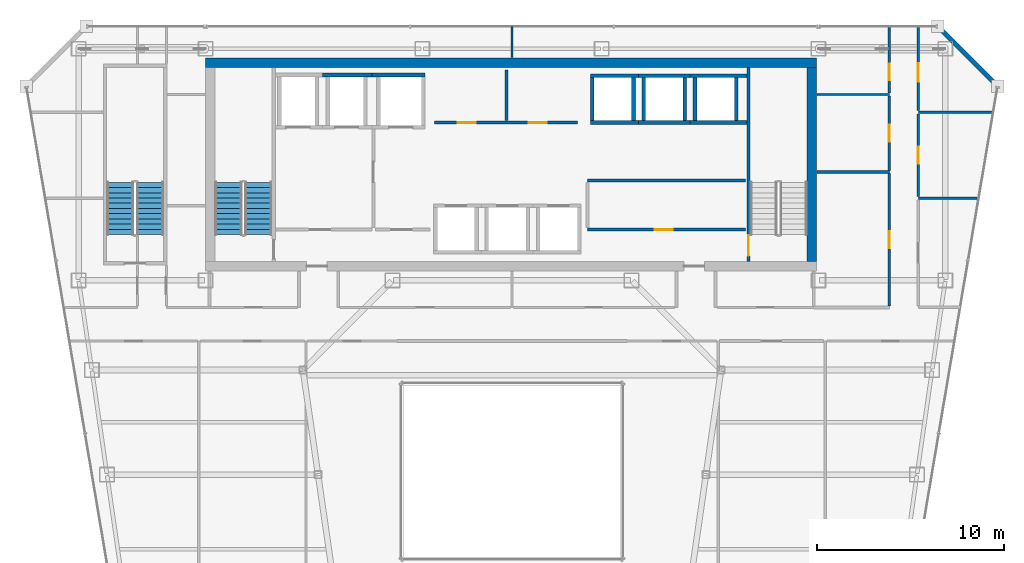
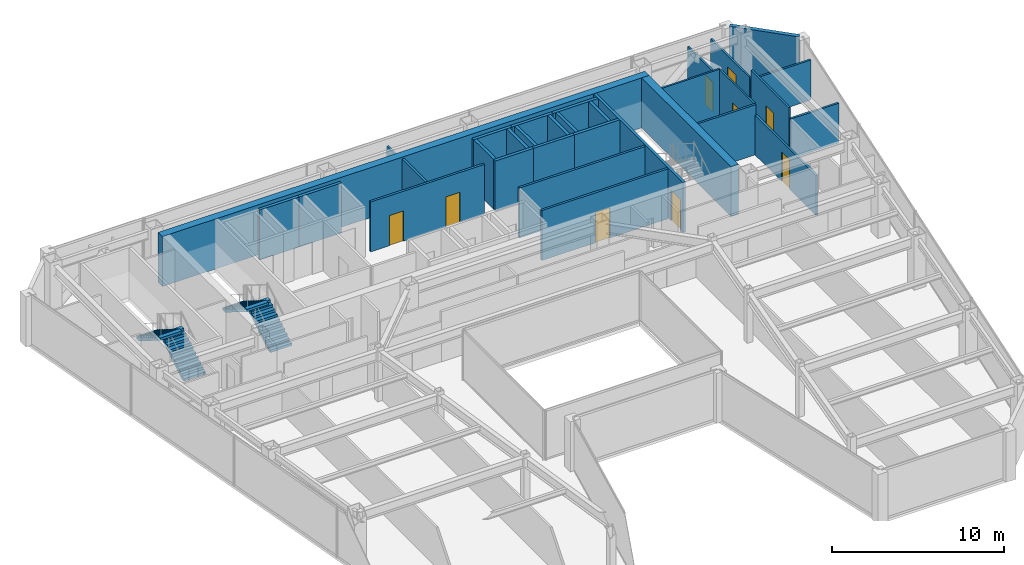
# One storey, part 32 of 36: 32 walls, 9 doors, 4 stair flights, 9 openings, 2 elements without a shape of their own.
"""IFC4 building model written with IfcOpenShell, lengths in metres."""

from ifc_helpers import new_model, si_unit, direction, frame, frame_2d, origin, place, context, subcontext, project, spatial, polyline, rectangle, outline, extrude, material, layer, layer_set, type_object, element, fill, aggregate, save


model = new_model("IFC4")

# Units and contexts
model_context = context("Model", 3, precision=1e-05, world=origin(), true_north=direction((0.0, 1.0)))
body_context = subcontext(model_context, "Body", "Model", "MODEL_VIEW")
ifc_project = project(units=[si_unit("LENGTHUNIT", "METRE"), si_unit("AREAUNIT", "SQUARE_METRE"), si_unit("VOLUMEUNIT", "CUBIC_METRE"), si_unit("PLANEANGLEUNIT", "RADIAN"), si_unit("MASSUNIT", "GRAM", prefix="KILO")], contexts=[model_context])

# Site, building, storey
site_placement = place(None, origin())
site = spatial("IfcSite", under=ifc_project, at=site_placement, CompositionType="ELEMENT")
building_placement = place(site_placement, origin())
building = spatial("IfcBuilding", under=site, at=building_placement, Name="Saevonmaru Cultural Tower", CompositionType="ELEMENT")
storey_placement = place(building_placement, frame((0.0, 0.0, 182.800048828125)))
storey = spatial("IfcBuildingStorey", under=building, at=storey_placement, Name="L41", CompositionType="ELEMENT", Elevation=182.800048828125)

# Walls
ifc_material_1 = material(Name="Concrete C60/75", Category="concrete")
ifc_layer_1 = layer(ifc_material_1, 0.5, Name="Concrete C60/75")
ifc_layer_set_1 = layer_set([ifc_layer_1], Name="Concrete C60/75")
wall_type_1 = type_object("IfcWallType", Name="WL-CORE-500", PredefinedType="SHEAR", material=ifc_layer_set_1)
wall_1_placement = place(storey_placement, frame((13.60009765625, 54.050048828125, 0.0), z_axis=(0.0, 0.0, 1.0), x_axis=(1.0, 0.0, 0.0)))
element("IfcWall", 1, at=wall_1_placement, inside=storey, type_object=wall_type_1, Name="L41 Tower RC core shear wall N", PredefinedType="SHEAR", context=body_context, shape_type="SweptSolid", body=[
    extrude(rectangle(XDim=32.699951171875, YDim=0.5, at=frame_2d((16.35009765625, 0.0))), origin(), (0.0, 0.0, 1.0), 3.550048828125),
])
wall_2_placement = place(storey_placement, frame((46.050048828125, 43.39990234375, 0.0), z_axis=(0.0, 0.0, 1.0), x_axis=(0.0, 1.0, 0.0)))
element("IfcWall", 2, at=wall_2_placement, inside=storey, type_object=wall_type_1, Name="L41 Tower RC core shear wall E", PredefinedType="SHEAR", context=body_context, shape_type="SweptSolid", body=[
    extrude(rectangle(XDim=10.400146484375, YDim=0.5, at=frame_2d((5.2001953125, 0.0))), origin(), (0.0, 0.0, 1.0), 3.550048828125),
])

# Wall, opening, door
ifc_material_2 = material(Name="Gypsum Fireboard Partition", Category="gypsum")
ifc_layer_2 = layer(ifc_material_2, 0.14990234375, Name="Gypsum Fireboard Partition")
ifc_layer_set_2 = layer_set([ifc_layer_2], Name="Gypsum Fireboard Partition")
wall_type_2 = type_object("IfcWallType", Name="WL-CORE-PART-150", PredefinedType="PARTITIONING", material=ifc_layer_set_2)
wall_3_placement = place(storey_placement, frame((34.050048828125, 45.1201171875, 0.0), z_axis=(0.0, 0.0, 1.0), x_axis=(1.0, 0.0, 0.0)))
wall_3 = element("IfcWall", 3, at=wall_3_placement, inside=storey, type_object=wall_type_2, Name="L41 Core Service South Wall", PredefinedType="PARTITIONING", context=body_context, shape_type="SweptSolid", body=[
    extrude(rectangle(XDim=8.449951171875, YDim=0.14990234375, at=frame_2d((4.22509765625, 0.0))), origin(), (0.0, 0.0, 1.0), 3.550048828125),
])
opening_1_placement = place(wall_3_placement, frame((3.60009765625, 0.0, 0.0)))
opening_1 = element("IfcOpeningElement", 4, at=opening_1_placement, cuts=wall_3, Name="Opening FD-4", PredefinedType="OPENING", context=body_context, shape_type="SweptSolid", body=[
    extrude(rectangle(XDim=0.949951171875, YDim=2.14990234375, at=frame_2d((0.47509765625, 1.074951171875))), frame((0.0, 0.0849609375, 0.0), z_axis=(0.0, -1.0, 0.0), x_axis=(1.0, 0.0, 0.0)), (0.0, 0.0, 1.0), 0.169921875),
])
ifc_material_3 = material(Name="Satin Bronze Anodised Aluminium", Category="aluminium")
door_type_1 = type_object("IfcDoorType", Name="DR-FD60-950", OperationType="SINGLE_SWING_LEFT", PredefinedType="DOOR", material=ifc_material_3)
door_1_placement = place(opening_1_placement, origin())
door_1 = element("IfcDoor", 5, at=door_1_placement, inside=storey, type_object=door_type_1, Name="L41 Telecom Riser Plant Door", OperationType="SINGLE_SWING_LEFT", OverallHeight=2.14990234375, OverallWidth=0.949951171875, PredefinedType="DOOR", context=body_context, shape_type="SweptSolid", body=[
    extrude(rectangle(XDim=0.949951171875, YDim=2.14990234375, at=frame_2d((0.47509765625, 1.074951171875))), frame((0.0, 0.02490234375, 0.0), z_axis=(0.0, -1.0, 0.0), x_axis=(1.0, 0.0, 0.0)), (0.0, 0.0, 1.0), 0.050048828125),
])
fill(opening_1, door_1)

# Wall
wall_4_placement = place(storey_placement, frame((34.050048828125, 47.75, 0.0), z_axis=(0.0, 0.0, 1.0), x_axis=(1.0, 0.0, 0.0)))
element("IfcWall", 6, at=wall_4_placement, inside=storey, type_object=wall_type_2, Name="L41 Core Service North Wall", PredefinedType="PARTITIONING", context=body_context, shape_type="SweptSolid", body=[
    extrude(rectangle(XDim=8.449951171875, YDim=0.14990234375, at=frame_2d((4.22509765625, 0.0))), origin(), (0.0, 0.0, 1.0), 3.550048828125),
])

# Wall, openings, doors
wall_5_placement = place(storey_placement, frame((25.85009765625, 50.85009765625, 0.0), z_axis=(0.0, 0.0, 1.0), x_axis=(1.0, 0.0, 0.0)))
wall_5 = element("IfcWall", 7, at=wall_5_placement, inside=storey, type_object=wall_type_2, Name="L41 Reclaimed Core Room South Wall", PredefinedType="PARTITIONING", context=body_context, shape_type="SweptSolid", body=[
    extrude(rectangle(XDim=7.64990234375, YDim=0.14990234375, at=frame_2d((3.824951171875, 0.0))), origin(), (0.0, 0.0, 1.0), 3.550048828125),
])
opening_2_placement = place(wall_5_placement, frame((1.25, 0.0, 0.0)))
opening_2 = element("IfcOpeningElement", 8, at=opening_2_placement, cuts=wall_5, Name="Opening FD-4", PredefinedType="OPENING", context=body_context, shape_type="SweptSolid", body=[
    extrude(rectangle(XDim=0.949951171875, YDim=2.14990234375, at=frame_2d((0.47509765625, 1.074951171875))), frame((0.0, 0.0849609375, 0.0), z_axis=(0.0, -1.0, 0.0), x_axis=(1.0, 0.0, 0.0)), (0.0, 0.0, 1.0), 0.169921875),
])
opening_3_placement = place(wall_5_placement, frame((5.050048828125, 0.0, 0.0)))
opening_3 = element("IfcOpeningElement", 9, at=opening_3_placement, cuts=wall_5, Name="Opening FD-4", PredefinedType="OPENING", context=body_context, shape_type="SweptSolid", body=[
    extrude(rectangle(XDim=0.949951171875, YDim=2.14990234375, at=frame_2d((0.47509765625, 1.074951171875))), frame((0.0, 0.0849609375, 0.0), z_axis=(0.0, -1.0, 0.0), x_axis=(1.0, 0.0, 0.0)), (0.0, 0.0, 1.0), 0.169921875),
])
door_2_placement = place(opening_2_placement, origin())
door_2 = element("IfcDoor", 10, at=door_2_placement, inside=storey, type_object=door_type_1, Name="L41 Reclaimed Archive Vault Door", OperationType="SINGLE_SWING_LEFT", OverallHeight=2.14990234375, OverallWidth=0.949951171875, PredefinedType="DOOR", context=body_context, shape_type="SweptSolid", body=[
    extrude(rectangle(XDim=0.949951171875, YDim=2.14990234375, at=frame_2d((0.47509765625, 1.074951171875))), frame((0.0, 0.02490234375, 0.0), z_axis=(0.0, -1.0, 0.0), x_axis=(1.0, 0.0, 0.0)), (0.0, 0.0, 1.0), 0.050048828125),
])
fill(opening_2, door_2)
door_3_placement = place(opening_3_placement, origin())
door_3 = element("IfcDoor", 11, at=door_3_placement, inside=storey, type_object=door_type_1, Name="L41 Reclaimed Conservation Storage Door", OperationType="SINGLE_SWING_LEFT", OverallHeight=2.14990234375, OverallWidth=0.949951171875, PredefinedType="DOOR", context=body_context, shape_type="SweptSolid", body=[
    extrude(rectangle(XDim=0.949951171875, YDim=2.14990234375, at=frame_2d((0.47509765625, 1.074951171875))), frame((0.0, 0.02490234375, 0.0), z_axis=(0.0, -1.0, 0.0), x_axis=(1.0, 0.0, 0.0)), (0.0, 0.0, 1.0), 0.050048828125),
])
fill(opening_3, door_3)

# Walls
wall_6_placement = place(storey_placement, frame((29.699951171875, 50.949951171875, 0.0), z_axis=(0.0, 0.0, 1.0), x_axis=(0.0, 1.0, 0.0)))
element("IfcWall", 12, at=wall_6_placement, inside=storey, type_object=wall_type_2, Name="L41 Reclaimed Vault Split", PredefinedType="PARTITIONING", context=body_context, shape_type="SweptSolid", body=[
    extrude(rectangle(XDim=2.699951171875, YDim=0.14990234375, at=frame_2d((1.35009765625, 0.0))), origin(), (0.0, 0.0, 1.0), 3.550048828125),
])
ifc_material_4 = material(Name="Granite-Clad Precast Concrete C40/50", Category="masonry")
ifc_layer_3 = layer(ifc_material_4, 0.260009765625, Name="Granite-Clad Precast Concrete C40/50")
ifc_layer_set_3 = layer_set([ifc_layer_3], Name="Granite-Clad Precast Concrete C40/50")
wall_type_3 = type_object("IfcWallType", Name="WL-EXT-SPANDREL-260", PredefinedType="STANDARD", material=ifc_layer_set_3)
wall_7_placement = place(storey_placement, frame((55.886962890625, 52.9130859375, 0.0), z_axis=(0.0, 0.0, 1.0), x_axis=(-0.707106781187, 0.707106781187, 0.0)))
element("IfcWall", 13, at=wall_7_placement, inside=storey, type_object=wall_type_3, Name="L41 Chamfer Corner Spandrel Wall E9", PredefinedType="STANDARD", context=body_context, shape_type="SweptSolid", body=[
    extrude(rectangle(XDim=4.205810546875, YDim=0.260009765625, at=frame_2d((2.10302734375, 0.0))), origin(), (0.0, 0.0, 1.0), 3.550048828125),
])
ifc_layer_4 = layer(ifc_material_2, 0.1201171875, Name="Gypsum Fireboard Partition")
ifc_layer_set_4 = layer_set([ifc_layer_4], Name="Gypsum Fireboard Partition")
wall_type_4 = type_object("IfcWallType", Name="WL-PART-GYP-120", PredefinedType="PARTITIONING", material=ifc_layer_set_4)
wall_8_placement = place(storey_placement, frame((46.320068359375, 52.35009765625, 0.0), z_axis=(0.0, 0.0, 1.0), x_axis=(1.0, 0.0, 0.0)))
element("IfcWall", 14, at=wall_8_placement, inside=storey, type_object=wall_type_4, Name="L41 North-East Panorama South Wall", PredefinedType="PARTITIONING", context=body_context, shape_type="SweptSolid", body=[
    extrude(rectangle(XDim=3.8798828125, YDim=0.1201171875, at=frame_2d((1.93994140625, 0.0))), origin(), (0.0, 0.0, 1.0), 3.550048828125),
])
wall_9_placement = place(storey_placement, frame((30.0, 54.320068359375, 0.0), z_axis=(0.0, 0.0, 1.0), x_axis=(0.0, 1.0, 0.0)))
element("IfcWall", 15, at=wall_9_placement, inside=storey, type_object=wall_type_4, Name="L41 North Panorama Center Split", PredefinedType="PARTITIONING", context=body_context, shape_type="SweptSolid", body=[
    extrude(rectangle(XDim=1.675048828125, YDim=0.1201171875, at=frame_2d((0.83740234375, 0.0))), origin(), (0.0, 0.0, 1.0), 2.93505859375),
])

# Wall, opening, door
wall_10_placement = place(storey_placement, frame((50.199951171875, 48.2900390625, 0.0), z_axis=(0.0, 0.0, 1.0), x_axis=(0.0, 1.0, 0.0)))
wall_10 = element("IfcWall", 16, at=wall_10_placement, inside=storey, type_object=wall_type_4, Name="L41 Curatorial Research Office Corridor Wall", PredefinedType="PARTITIONING", context=body_context, shape_type="SweptSolid", body=[
    extrude(rectangle(XDim=3.97998046875, YDim=0.1201171875, at=frame_2d((1.989990234375, 0.0))), origin(), (0.0, 0.0, 1.0), 3.550048828125),
])
opening_4_placement = place(wall_10_placement, frame((1.5400390625, 0.0, 0.0)))
opening_4 = element("IfcOpeningElement", 17, at=opening_4_placement, cuts=wall_10, Name="Opening ID-2", PredefinedType="OPENING", context=body_context, shape_type="SweptSolid", body=[
    extrude(rectangle(XDim=0.89990234375, YDim=2.10009765625, at=frame_2d((0.449951171875, 1.050048828125))), frame((0.0, 0.070068359375, 0.0), z_axis=(0.0, -1.0, 0.0), x_axis=(1.0, 0.0, 0.0)), (0.0, 0.0, 1.0), 0.14013671875),
])
ifc_material_5 = material(Name="Acoustic Stained Oak Timber", Category="wood")
door_type_2 = type_object("IfcDoorType", Name="DR-INT-900", OperationType="SINGLE_SWING_RIGHT", PredefinedType="DOOR", material=ifc_material_5)
door_4_placement = place(opening_4_placement, origin())
door_4 = element("IfcDoor", 18, at=door_4_placement, inside=storey, type_object=door_type_2, Name="L41 Curatorial Research Office Door", OperationType="SINGLE_SWING_LEFT", OverallHeight=2.10009765625, OverallWidth=0.89990234375, PredefinedType="DOOR", context=body_context, shape_type="SweptSolid", body=[
    extrude(rectangle(XDim=0.89990234375, YDim=2.10009765625, at=frame_2d((0.449951171875, 1.050048828125))), frame((0.0, 0.02490234375, 0.0), z_axis=(0.0, -1.0, 0.0), x_axis=(1.0, 0.0, 0.0)), (0.0, 0.0, 1.0), 0.050048828125),
])
fill(opening_4, door_4)

wall_11_placement = place(storey_placement, frame((50.199951171875, 52.429931640625, 0.0), z_axis=(0.0, 0.0, 1.0), x_axis=(0.0, 1.0, 0.0)))
wall_11 = element("IfcWall", 19, at=wall_11_placement, inside=storey, type_object=wall_type_4, Name="L41 Archival Conservation Office Corridor Wall", PredefinedType="PARTITIONING", context=body_context, shape_type="SweptSolid", body=[
    extrude(rectangle(XDim=3.565185546875, YDim=0.1201171875, at=frame_2d((1.78271484375, 0.0))), origin(), (0.0, 0.0, 1.0), 2.93505859375),
])
opening_5_placement = place(wall_11_placement, frame((0.672119140625, 0.0, 0.0)))
opening_5 = element("IfcOpeningElement", 20, at=opening_5_placement, cuts=wall_11, Name="Opening ID-2", PredefinedType="OPENING", context=body_context, shape_type="SweptSolid", body=[
    extrude(rectangle(XDim=0.89990234375, YDim=2.10009765625, at=frame_2d((0.449951171875, 1.050048828125))), frame((0.0, 0.070068359375, 0.0), z_axis=(0.0, -1.0, 0.0), x_axis=(1.0, 0.0, 0.0)), (0.0, 0.0, 1.0), 0.14013671875),
])
door_5_placement = place(opening_5_placement, origin())
door_5 = element("IfcDoor", 21, at=door_5_placement, inside=storey, type_object=door_type_2, Name="L41 Archival Conservation Office Door", OperationType="SINGLE_SWING_RIGHT", OverallHeight=2.10009765625, OverallWidth=0.89990234375, PredefinedType="DOOR", context=body_context, shape_type="SweptSolid", body=[
    extrude(rectangle(XDim=0.89990234375, YDim=2.10009765625, at=frame_2d((0.449951171875, 1.050048828125))), frame((0.0, 0.02490234375, 0.0), z_axis=(0.0, -1.0, 0.0), x_axis=(1.0, 0.0, 0.0)), (0.0, 0.0, 1.0), 0.050048828125),
])
fill(opening_5, door_5)

wall_12_placement = place(storey_placement, frame((51.75, 46.887451171875, 0.0), z_axis=(0.0, 0.0, 1.0), x_axis=(0.0, 1.0, 0.0)))
wall_12 = element("IfcWall", 22, at=wall_12_placement, inside=storey, type_object=wall_type_4, Name="L41 Design Seminar Classroom Corridor Wall", PredefinedType="PARTITIONING", context=body_context, shape_type="SweptSolid", body=[
    extrude(rectangle(XDim=4.425048828125, YDim=0.1201171875, at=frame_2d((2.21240234375, 0.0))), origin(), (0.0, 0.0, 1.0), 3.550048828125),
])
opening_6_placement = place(wall_12_placement, frame((1.761962890625, 0.0, 0.0)))
opening_6 = element("IfcOpeningElement", 23, at=opening_6_placement, cuts=wall_12, Name="Opening ID-2", PredefinedType="OPENING", context=body_context, shape_type="SweptSolid", body=[
    extrude(rectangle(XDim=0.89990234375, YDim=2.10009765625, at=frame_2d((0.449951171875, 1.050048828125))), frame((0.0, 0.070068359375, 0.0), z_axis=(0.0, -1.0, 0.0), x_axis=(1.0, 0.0, 0.0)), (0.0, 0.0, 1.0), 0.14013671875),
])
door_6_placement = place(opening_6_placement, origin())
door_6 = element("IfcDoor", 24, at=door_6_placement, inside=storey, type_object=door_type_2, Name="L41 Design Seminar Classroom Door", OperationType="SINGLE_SWING_RIGHT", OverallHeight=2.10009765625, OverallWidth=0.89990234375, PredefinedType="DOOR", context=body_context, shape_type="SweptSolid", body=[
    extrude(rectangle(XDim=0.89990234375, YDim=2.10009765625, at=frame_2d((0.449951171875, 1.050048828125))), frame((0.0, 0.02490234375, 0.0), z_axis=(0.0, -1.0, 0.0), x_axis=(1.0, 0.0, 0.0)), (0.0, 0.0, 1.0), 0.050048828125),
])
fill(opening_6, door_6)

wall_13_placement = place(storey_placement, frame((51.75, 51.487548828125, 0.0), z_axis=(0.0, 0.0, 1.0), x_axis=(0.0, 1.0, 0.0)))
wall_13 = element("IfcWall", 25, at=wall_13_placement, inside=storey, type_object=wall_type_4, Name="L41 Museum Espresso Cafe Corridor Wall", PredefinedType="PARTITIONING", context=body_context, shape_type="SweptSolid", body=[
    extrude(rectangle(XDim=4.507568359375, YDim=0.1201171875, at=frame_2d((2.25390625, 0.0))), origin(), (0.0, 0.0, 1.0), 2.93505859375),
])
opening_7_placement = place(wall_13_placement, frame((1.533935546875, 0.0, 0.0)))
opening_7 = element("IfcOpeningElement", 26, at=opening_7_placement, cuts=wall_13, Name="Opening ID-1B", PredefinedType="OPENING", context=body_context, shape_type="SweptSolid", body=[
    extrude(rectangle(XDim=1.0, YDim=2.14990234375, at=frame_2d((0.5, 1.074951171875))), frame((0.0, 0.070068359375, 0.0), z_axis=(0.0, -1.0, 0.0), x_axis=(1.0, 0.0, 0.0)), (0.0, 0.0, 1.0), 0.14013671875),
])
door_type_3 = type_object("IfcDoorType", Name="DR-INT-1000", OperationType="SINGLE_SWING_RIGHT", PredefinedType="DOOR", material=ifc_material_5)
door_7_placement = place(opening_7_placement, origin())
door_7 = element("IfcDoor", 27, at=door_7_placement, inside=storey, type_object=door_type_3, Name="L41 Museum Espresso Cafe Door", OperationType="SINGLE_SWING_LEFT", OverallHeight=2.14990234375, OverallWidth=1.0, PredefinedType="DOOR", context=body_context, shape_type="SweptSolid", body=[
    extrude(rectangle(XDim=1.0, YDim=2.14990234375, at=frame_2d((0.5, 1.074951171875))), frame((0.0, 0.02490234375, 0.0), z_axis=(0.0, -1.0, 0.0), x_axis=(1.0, 0.0, 0.0)), (0.0, 0.0, 1.0), 0.050048828125),
])
fill(opening_7, door_7)

# Walls
ifc_layer_5 = layer(ifc_material_2, 0.135009765625, Name="Gypsum Fireboard Partition")
ifc_layer_set_5 = layer_set([ifc_layer_5], Name="Gypsum Fireboard Partition")
wall_type_5 = type_object("IfcWallType", Name="WL-PART-GYP-135", PredefinedType="PARTITIONING", material=ifc_layer_set_5)
wall_14_placement = place(storey_placement, frame((51.75, 46.800048828125, 0.0), z_axis=(0.0, 0.0, 1.0), x_axis=(1.0, 0.0, 0.0)))
element("IfcWall", 28, at=wall_14_placement, inside=storey, type_object=wall_type_5, Name="L41 NE Studio Divider 1", PredefinedType="PARTITIONING", context=body_context, shape_type="SweptSolid", body=[
    extrude(rectangle(XDim=3.229248046875, YDim=0.135009765625, at=frame_2d((1.61474609375, 0.0))), origin(), (0.0, 0.0, 1.0), 2.8349609375),
])
wall_15_placement = place(storey_placement, frame((51.75, 51.39990234375, 0.0), z_axis=(0.0, 0.0, 1.0), x_axis=(1.0, 0.0, 0.0)))
element("IfcWall", 29, at=wall_15_placement, inside=storey, type_object=wall_type_5, Name="L41 NE Studio Divider 2", PredefinedType="PARTITIONING", context=body_context, shape_type="SweptSolid", body=[
    extrude(rectangle(XDim=4.0078125, YDim=0.135009765625, at=frame_2d((2.00390625, 0.0))), origin(), (0.0, 0.0, 1.0), 2.8349609375),
])
ifc_layer_6 = layer(ifc_material_2, 0.139892578125, Name="Gypsum Fireboard Partition")
ifc_layer_set_6 = layer_set([ifc_layer_6], Name="Gypsum Fireboard Partition")
wall_type_6 = type_object("IfcWallType", Name="WL-PART-WET-140", PredefinedType="PARTITIONING", material=ifc_layer_set_6)
wall_16_placement = place(storey_placement, frame((46.320068359375, 48.199951171875, 0.0), z_axis=(0.0, 0.0, 1.0), x_axis=(1.0, 0.0, 0.0)))
element("IfcWall", 30, at=wall_16_placement, inside=storey, type_object=wall_type_6, Name="L41 Washroom North Wall", PredefinedType="PARTITIONING", context=body_context, shape_type="SweptSolid", body=[
    extrude(rectangle(XDim=3.8798828125, YDim=0.139892578125, at=frame_2d((1.93994140625, 0.0))), origin(), (0.0, 0.0, 1.0), 3.550048828125),
])

# Wall, opening, door
wall_17_placement = place(storey_placement, frame((50.199951171875, 41.0400390625, 0.0), z_axis=(0.0, 0.0, 1.0), x_axis=(0.0, 1.0, 0.0)))
wall_17 = element("IfcWall", 31, at=wall_17_placement, inside=storey, type_object=wall_type_6, Name="L41 Washroom Corridor Wall", PredefinedType="PARTITIONING", context=body_context, shape_type="SweptSolid", body=[
    extrude(rectangle(XDim=7.070068359375, YDim=0.139892578125, at=frame_2d((3.53515625, 0.0))), origin(), (0.0, 0.0, 1.0), 2.8349609375),
])
opening_8_placement = place(wall_17_placement, frame((3.0849609375, 0.0, 0.0)))
opening_8 = element("IfcOpeningElement", 32, at=opening_8_placement, cuts=wall_17, Name="Opening ID-2", PredefinedType="OPENING", context=body_context, shape_type="SweptSolid", body=[
    extrude(rectangle(XDim=0.89990234375, YDim=2.10009765625, at=frame_2d((0.449951171875, 1.050048828125))), frame((0.0, 0.080078125, 0.0), z_axis=(0.0, -1.0, 0.0), x_axis=(1.0, 0.0, 0.0)), (0.0, 0.0, 1.0), 0.159912109375),
])
door_8_placement = place(opening_8_placement, origin())
door_8 = element("IfcDoor", 33, at=door_8_placement, inside=storey, type_object=door_type_2, Name="L41 Public Accessible Washrooms Door", OperationType="SINGLE_SWING_RIGHT", OverallHeight=2.10009765625, OverallWidth=0.89990234375, PredefinedType="DOOR", context=body_context, shape_type="SweptSolid", body=[
    extrude(rectangle(XDim=0.89990234375, YDim=2.10009765625, at=frame_2d((0.449951171875, 1.050048828125))), frame((0.0, 0.02490234375, 0.0), z_axis=(0.0, -1.0, 0.0), x_axis=(1.0, 0.0, 0.0)), (0.0, 0.0, 1.0), 0.050048828125),
])
fill(opening_8, door_8)

# Walls
ifc_material_6 = material(Name="Concrete C40/50", Category="concrete")
ifc_layer_7 = layer(ifc_material_6, 0.199951171875, Name="Concrete C40/50")
ifc_layer_set_7 = layer_set([ifc_layer_7], Name="Concrete C40/50")
wall_type_7 = type_object("IfcWallType", Name="WL-SHAFT-200", PredefinedType="SHEAR", material=ifc_layer_set_7)
wall_18_placement = place(storey_placement, frame((19.85009765625, 53.39990234375, 0.0), z_axis=(0.0, 0.0, 1.0), x_axis=(1.0, 0.0, 0.0)))
element("IfcWall", 34, at=wall_18_placement, inside=storey, type_object=wall_type_7, Name="L41 Lift FFL-2 Hoistway Wall N", PredefinedType="SHEAR", context=body_context, shape_type="SweptSolid", body=[
    extrude(rectangle(XDim=2.64990234375, YDim=0.199951171875, at=frame_2d((1.324951171875, 0.0))), origin(), (0.0, 0.0, 1.0), 3.550048828125),
])
wall_19_placement = place(storey_placement, frame((22.5, 53.39990234375, 0.0), z_axis=(0.0, 0.0, 1.0), x_axis=(1.0, 0.0, 0.0)))
element("IfcWall", 35, at=wall_19_placement, inside=storey, type_object=wall_type_7, Name="L41 Lift GL-1 Hoistway Wall N", PredefinedType="SHEAR", context=body_context, shape_type="SweptSolid", body=[
    extrude(rectangle(XDim=2.85009765625, YDim=0.199951171875, at=frame_2d((1.425048828125, 0.0))), origin(), (0.0, 0.0, 1.0), 3.550048828125),
])
for number, where, z_axis, x_axis, name in (
    (36, (34.199951171875, 50.85009765625, 0.0), (0.0, 0.0, 1.0), (1.0, 0.0, 0.0), "L41 Lift PL-H1 Hoistway Wall S"),
    (37, (34.199951171875, 53.35009765625, 0.0), (0.0, 0.0, 1.0), (1.0, 0.0, 0.0), "L41 Lift PL-H1 Hoistway Wall N"),
):
    element("IfcWall", number, at=place(storey_placement, frame(where, z_axis=z_axis, x_axis=x_axis)), inside=storey, type_object=wall_type_7, Name=name, PredefinedType="SHEAR", context=body_context, shape_type="SweptSolid", body=[
        extrude(rectangle(XDim=2.574951171875, YDim=0.199951171875, at=frame_2d((1.28759765625, 0.0))), origin(), (0.0, 0.0, 1.0), 3.550048828125),
    ])
for number, where, z_axis, x_axis, name in (
    (38, (34.300048828125, 50.949951171875, 0.0), (0.0, 0.0, 1.0), (0.0, 1.0, 0.0), "L41 Lift PL-H1 Hoistway Wall W"),
    (39, (36.5, 50.949951171875, 0.0), (0.0, 0.0, 1.0), (0.0, 1.0, 0.0), "L41 Lift PL-H1 Hoistway Wall E"),
):
    element("IfcWall", number, at=place(storey_placement, frame(where, z_axis=z_axis, x_axis=x_axis)), inside=storey, type_object=wall_type_7, Name=name, PredefinedType="SHEAR", context=body_context, shape_type="SweptSolid", body=[
        extrude(rectangle(XDim=2.300048828125, YDim=0.199951171875, at=frame_2d((1.14990234375, 0.0))), origin(), (0.0, 0.0, 1.0), 3.550048828125),
    ])
for number, where, z_axis, x_axis, name in (
    (40, (36.77490234375, 50.85009765625, 0.0), (0.0, 0.0, 1.0), (1.0, 0.0, 0.0), "L41 Lift PL-H2 Hoistway Wall S"),
    (41, (36.77490234375, 53.35009765625, 0.0), (0.0, 0.0, 1.0), (1.0, 0.0, 0.0), "L41 Lift PL-H2 Hoistway Wall N"),
):
    element("IfcWall", number, at=place(storey_placement, frame(where, z_axis=z_axis, x_axis=x_axis)), inside=storey, type_object=wall_type_7, Name=name, PredefinedType="SHEAR", context=body_context, shape_type="SweptSolid", body=[
        extrude(rectangle(XDim=2.75, YDim=0.199951171875, at=frame_2d((1.375, 0.0))), origin(), (0.0, 0.0, 1.0), 3.550048828125),
    ])
for number, where, z_axis, x_axis, name in (
    (42, (37.050048828125, 50.949951171875, 0.0), (0.0, 0.0, 1.0), (0.0, 1.0, 0.0), "L41 Lift PL-H2 Hoistway Wall W"),
    (43, (39.25, 50.949951171875, 0.0), (0.0, 0.0, 1.0), (0.0, 1.0, 0.0), "L41 Lift PL-H2 Hoistway Wall E"),
):
    element("IfcWall", number, at=place(storey_placement, frame(where, z_axis=z_axis, x_axis=x_axis)), inside=storey, type_object=wall_type_7, Name=name, PredefinedType="SHEAR", context=body_context, shape_type="SweptSolid", body=[
        extrude(rectangle(XDim=2.300048828125, YDim=0.199951171875, at=frame_2d((1.14990234375, 0.0))), origin(), (0.0, 0.0, 1.0), 3.550048828125),
    ])
for number, where, z_axis, x_axis, name in (
    (44, (39.52490234375, 50.85009765625, 0.0), (0.0, 0.0, 1.0), (1.0, 0.0, 0.0), "L41 Lift PL-H3 Hoistway Wall S"),
    (45, (39.52490234375, 53.35009765625, 0.0), (0.0, 0.0, 1.0), (1.0, 0.0, 0.0), "L41 Lift PL-H3 Hoistway Wall N"),
):
    element("IfcWall", number, at=place(storey_placement, frame(where, z_axis=z_axis, x_axis=x_axis)), inside=storey, type_object=wall_type_7, Name=name, PredefinedType="SHEAR", context=body_context, shape_type="SweptSolid", body=[
        extrude(rectangle(XDim=3.045166015625, YDim=0.199951171875, at=frame_2d((1.5224609375, 0.0))), origin(), (0.0, 0.0, 1.0), 3.550048828125),
    ])
for number, where, z_axis, x_axis, name in (
    (46, (39.800048828125, 50.949951171875, 0.0), (0.0, 0.0, 1.0), (0.0, 1.0, 0.0), "L41 Lift PL-H3 Hoistway Wall W"),
    (47, (42.0, 50.949951171875, 0.0), (0.0, 0.0, 1.0), (0.0, 1.0, 0.0), "L41 Lift PL-H3 Hoistway Wall E"),
):
    element("IfcWall", number, at=place(storey_placement, frame(where, z_axis=z_axis, x_axis=x_axis)), inside=storey, type_object=wall_type_7, Name=name, PredefinedType="SHEAR", context=body_context, shape_type="SweptSolid", body=[
        extrude(rectangle(XDim=2.300048828125, YDim=0.199951171875, at=frame_2d((1.14990234375, 0.0))), origin(), (0.0, 0.0, 1.0), 3.550048828125),
    ])

# Wall, opening, door
ifc_layer_8 = layer(ifc_material_6, 0.179931640625, Name="Concrete C40/50")
ifc_layer_set_8 = layer_set([ifc_layer_8], Name="Concrete C40/50")
wall_type_8 = type_object("IfcWallType", Name="WL-STSHAFT-180", PredefinedType="SHEAR", material=ifc_layer_set_8)
wall_20_placement = place(storey_placement, frame((42.659912109375, 53.800048828125, 0.0), z_axis=(0.0, 0.0, 1.0), x_axis=(0.0, -1.0, 0.0)))
wall_20 = element("IfcWall", 48, at=wall_20_placement, inside=storey, type_object=wall_type_8, Name="L41 Stair ST-2 Structural Shaft Wall 1", PredefinedType="SHEAR", context=body_context, shape_type="SweptSolid", body=[
    extrude(rectangle(XDim=10.400146484375, YDim=0.179931640625, at=frame_2d((5.2001953125, 0.0))), origin(), (0.0, 0.0, 1.0), 3.550048828125),
])
opening_9_placement = place(wall_20_placement, frame((8.989990234375, 0.0, 0.0)))
opening_9 = element("IfcOpeningElement", 49, at=opening_9_placement, cuts=wall_20, Name="Opening FD-2", PredefinedType="OPENING", context=body_context, shape_type="SweptSolid", body=[
    extrude(rectangle(XDim=1.10009765625, YDim=2.14990234375, at=frame_2d((0.550048828125, 1.074951171875))), frame((0.0, 0.10009765625, 0.0), z_axis=(0.0, -1.0, 0.0), x_axis=(1.0, 0.0, 0.0)), (0.0, 0.0, 1.0), 0.199951171875),
])
door_type_4 = type_object("IfcDoorType", Name="DR-FD60-1100", OperationType="SINGLE_SWING_LEFT", PredefinedType="DOOR", material=ifc_material_3)
door_9_placement = place(opening_9_placement, origin())
door_9 = element("IfcDoor", 50, at=door_9_placement, inside=storey, type_object=door_type_4, Name="L41 Protected Stair ST-2 Fire Door", OperationType="SINGLE_SWING_LEFT", OverallHeight=2.14990234375, OverallWidth=1.10009765625, PredefinedType="DOOR", context=body_context, shape_type="SweptSolid", body=[
    extrude(rectangle(XDim=1.10009765625, YDim=2.14990234375, at=frame_2d((0.550048828125, 1.074951171875))), frame((0.0, 0.02490234375, 0.0), z_axis=(0.0, -1.0, 0.0), x_axis=(1.0, 0.0, 0.0)), (0.0, 0.0, 1.0), 0.050048828125),
])
fill(opening_9, door_9)

# Stair, stair flights
stair_type = type_object("IfcStairType", Name="STR-DOGLEG-RC", PredefinedType="HALF_TURN_STAIR", material=ifc_material_6)
stair_1_placement = place(storey_placement, origin())
stair_1 = element("IfcStair", 51, at=stair_1_placement, inside=storey, type_object=stair_type, Name="L41 Protected exit stair ST-1", PredefinedType="HALF_TURN_STAIR")
ifc_material_7 = material(Name="Precast concrete C40/50", Category="concrete")
stair_flight_type = type_object("IfcStairFlightType", Name="STF-PRECAST-180", PredefinedType="STRAIGHT", material=ifc_material_7)
stair_flight_1_placement = place(storey_placement, frame((16.425048828125, 44.85009765625, 0.0), z_axis=(0.0, 0.0, 1.0), x_axis=(0.0, 1.0, 0.0)))
stair_flight_1 = element("IfcStairFlight", 52, at=stair_flight_1_placement, type_object=stair_flight_type, Name="ST-1-L41 flight 1", NumberOfRisers=11, NumberOfTreads=10, PredefinedType="STRAIGHT", RiserHeight=0.172727273, TreadLength=0.28, context=body_context, shape_type="SweptSolid", body=[
    extrude(outline(polyline([(0.0, 0.0), (0.0, 0.172607421875), (0.280029296875, 0.172607421875), (0.280029296875, 0.345458984375), (0.56005859375, 0.345458984375), (0.56005859375, 0.51806640625), (0.840087890625, 0.51806640625), (0.840087890625, 0.69091796875), (1.1201171875, 0.69091796875), (1.1201171875, 0.863525390625), (1.39990234375, 0.863525390625), (1.39990234375, 1.036376953125), (1.679931640625, 1.036376953125), (1.679931640625, 1.208984375), (1.9599609375, 1.208984375), (1.9599609375, 1.3818359375), (2.239990234375, 1.3818359375), (2.239990234375, 1.554443359375), (2.52001953125, 1.554443359375), (2.52001953125, 1.727294921875), (2.800048828125, 1.727294921875), (2.800048828125, 1.89990234375), (2.800048828125, 1.551025390625), (0.285400390625, 0.0), (0.0, 0.0)])), frame((0.0, 0.72509765625, 0.0), z_axis=(0.0, -1.0, 0.0), x_axis=(1.0, 0.0, 0.0)), (0.0, 0.0, 1.0), 1.449951171875),
])
stair_flight_2_placement = place(storey_placement, frame((14.824951171875, 47.64990234375, 1.89990234375), z_axis=(0.0, 0.0, 1.0), x_axis=(0.0, -1.0, 0.0)))
stair_flight_2 = element("IfcStairFlight", 53, at=stair_flight_2_placement, type_object=stair_flight_type, Name="ST-1-L41 flight 2", NumberOfRisers=11, NumberOfTreads=10, PredefinedType="STRAIGHT", RiserHeight=0.172727273, TreadLength=0.28, context=body_context, shape_type="SweptSolid", body=[
    extrude(outline(polyline([(0.0, 0.0), (0.0, 0.172607421875), (0.280029296875, 0.172607421875), (0.280029296875, 0.345458984375), (0.56005859375, 0.345458984375), (0.56005859375, 0.51806640625), (0.840087890625, 0.51806640625), (0.840087890625, 0.69091796875), (1.1201171875, 0.69091796875), (1.1201171875, 0.863525390625), (1.39990234375, 0.863525390625), (1.39990234375, 1.036376953125), (1.679931640625, 1.036376953125), (1.679931640625, 1.208984375), (1.9599609375, 1.208984375), (1.9599609375, 1.3818359375), (2.239990234375, 1.3818359375), (2.239990234375, 1.554443359375), (2.52001953125, 1.554443359375), (2.52001953125, 1.727294921875), (2.800048828125, 1.727294921875), (2.800048828125, 1.89990234375), (2.800048828125, 1.551025390625), (0.285400390625, 0.0), (0.0, 0.0)])), frame((0.0, 0.72509765625, 0.0), z_axis=(0.0, -1.0, 0.0), x_axis=(1.0, 0.0, 0.0)), (0.0, 0.0, 1.0), 1.449951171875),
])
aggregate(stair_1, [stair_flight_1, stair_flight_2])

stair_2_placement = place(storey_placement, origin())
stair_2 = element("IfcStair", 54, at=stair_2_placement, inside=storey, type_object=stair_type, Name="L41 Protected exit stair ST-3", PredefinedType="HALF_TURN_STAIR")
stair_flight_3_placement = place(storey_placement, frame((10.625, 44.85009765625, 0.0), z_axis=(0.0, 0.0, 1.0), x_axis=(0.0, 1.0, 0.0)))
stair_flight_3 = element("IfcStairFlight", 55, at=stair_flight_3_placement, type_object=stair_flight_type, Name="ST-3-L41 flight 1", NumberOfRisers=11, NumberOfTreads=10, PredefinedType="STRAIGHT", RiserHeight=0.172727273, TreadLength=0.28, context=body_context, shape_type="SweptSolid", body=[
    extrude(outline(polyline([(0.0, 0.0), (0.0, 0.172607421875), (0.280029296875, 0.172607421875), (0.280029296875, 0.345458984375), (0.56005859375, 0.345458984375), (0.56005859375, 0.51806640625), (0.840087890625, 0.51806640625), (0.840087890625, 0.69091796875), (1.1201171875, 0.69091796875), (1.1201171875, 0.863525390625), (1.39990234375, 0.863525390625), (1.39990234375, 1.036376953125), (1.679931640625, 1.036376953125), (1.679931640625, 1.208984375), (1.9599609375, 1.208984375), (1.9599609375, 1.3818359375), (2.239990234375, 1.3818359375), (2.239990234375, 1.554443359375), (2.52001953125, 1.554443359375), (2.52001953125, 1.727294921875), (2.800048828125, 1.727294921875), (2.800048828125, 1.89990234375), (2.800048828125, 1.551025390625), (0.285400390625, 0.0), (0.0, 0.0)])), frame((0.0, 0.72509765625, 0.0), z_axis=(0.0, -1.0, 0.0), x_axis=(1.0, 0.0, 0.0)), (0.0, 0.0, 1.0), 1.449951171875),
])
stair_flight_4_placement = place(storey_placement, frame((9.02490234375, 47.64990234375, 1.89990234375), z_axis=(0.0, 0.0, 1.0), x_axis=(0.0, -1.0, 0.0)))
stair_flight_4 = element("IfcStairFlight", 56, at=stair_flight_4_placement, type_object=stair_flight_type, Name="ST-3-L41 flight 2", NumberOfRisers=11, NumberOfTreads=10, PredefinedType="STRAIGHT", RiserHeight=0.172727273, TreadLength=0.28, context=body_context, shape_type="SweptSolid", body=[
    extrude(outline(polyline([(0.0, 0.0), (0.0, 0.172607421875), (0.280029296875, 0.172607421875), (0.280029296875, 0.345458984375), (0.56005859375, 0.345458984375), (0.56005859375, 0.51806640625), (0.840087890625, 0.51806640625), (0.840087890625, 0.69091796875), (1.1201171875, 0.69091796875), (1.1201171875, 0.863525390625), (1.39990234375, 0.863525390625), (1.39990234375, 1.036376953125), (1.679931640625, 1.036376953125), (1.679931640625, 1.208984375), (1.9599609375, 1.208984375), (1.9599609375, 1.3818359375), (2.239990234375, 1.3818359375), (2.239990234375, 1.554443359375), (2.52001953125, 1.554443359375), (2.52001953125, 1.727294921875), (2.800048828125, 1.727294921875), (2.800048828125, 1.89990234375), (2.800048828125, 1.551025390625), (0.285400390625, 0.0), (0.0, 0.0)])), frame((0.0, 0.72509765625, 0.0), z_axis=(0.0, -1.0, 0.0), x_axis=(1.0, 0.0, 0.0)), (0.0, 0.0, 1.0), 1.449951171875),
])
aggregate(stair_2, [stair_flight_3, stair_flight_4])

save(model, "model.ifc")
